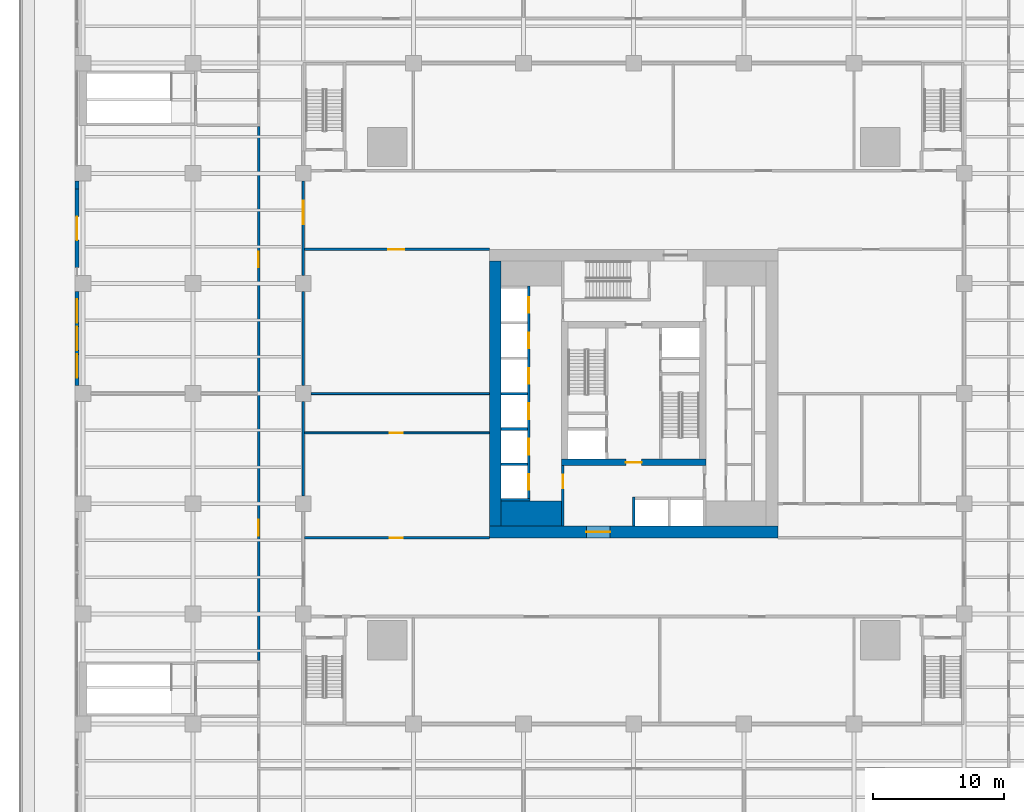
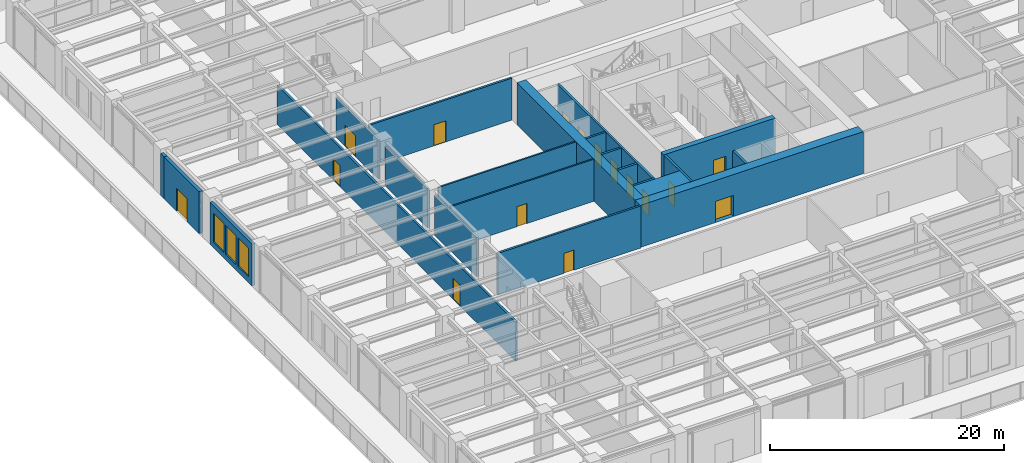
# One storey, part 38 of 53: 22 walls, 16 doors, 3 windows, 19 openings.
"""IFC4 building model written with IfcOpenShell, lengths in metres."""

from ifc_helpers import new_model, si_unit, direction, frame, frame_2d, origin, place, context, subcontext, project, spatial, rectangle, extrude, material, layer, layer_set, type_object, element, fill, save


model = new_model("IFC4")

# Units and contexts
model_context = context("Model", 3, precision=1e-05, world=origin(), true_north=direction((0.0, 1.0)))
body_context = subcontext(model_context, "Body", "Model", "MODEL_VIEW")
ifc_project = project(units=[si_unit("LENGTHUNIT", "METRE"), si_unit("AREAUNIT", "SQUARE_METRE"), si_unit("VOLUMEUNIT", "CUBIC_METRE"), si_unit("PLANEANGLEUNIT", "RADIAN"), si_unit("MASSUNIT", "GRAM", prefix="KILO")], contexts=[model_context])

# Site, building, storey
site_placement = place(None, origin())
site = spatial("IfcSite", under=ifc_project, at=site_placement, CompositionType="ELEMENT")
building_placement = place(site_placement, origin())
building = spatial("IfcBuilding", under=site, at=building_placement, Name="Khepri Terraces", CompositionType="ELEMENT")
storey_placement = place(building_placement, frame((0.0, 0.0, 7.199951171875)))
storey = spatial("IfcBuildingStorey", under=building, at=storey_placement, Name="L01", CompositionType="ELEMENT", Elevation=7.199951171875)

# Walls
ifc_material_1 = material(Name="Concrete C80/95", Category="concrete")
ifc_layer_1 = layer(ifc_material_1, 1.89990234375, Name="Concrete C80/95", Category="concrete")
ifc_layer_set_1 = layer_set([ifc_layer_1], Name="Concrete C80/95")
wall_type_1 = type_object("IfcWallType", Name="Core wall 1900 C80/95", PredefinedType="SHEAR", material=ifc_layer_set_1)
wall_1_placement = place(storey_placement, frame((-10.10009765625, -9.14990234375, 0.0), z_axis=(0.0, 0.0, 1.0), x_axis=(1.0, 0.0, 0.0)))
element("IfcWall", 1, at=wall_1_placement, inside=storey, type_object=wall_type_1, Name="Core wall PR01 L01", PredefinedType="SHEAR", context=body_context, shape_type="SweptSolid", body=[
    extrude(rectangle(XDim=4.60009765625, YDim=1.89990234375, at=frame_2d((2.300048828125, 0.0))), origin(), (0.0, 0.0, 1.0), 4.380126953125),
])
ifc_layer_2 = layer(ifc_material_1, 0.199951171875, Name="Concrete C80/95", Category="concrete")
ifc_layer_set_2 = layer_set([ifc_layer_2], Name="Concrete C80/95")
wall_type_2 = type_object("IfcWallType", Name="Core wall 200 C80/95", PredefinedType="SHEAR", material=ifc_layer_set_2)
for number, where, z_axis, x_axis, name in (
    (2, (0.0, -10.10009765625, 0.0), (0.0, 0.0, 1.0), (0.0, 1.0, 0.0), "Core wall SH01 L01"),
    (3, (-10.10009765625, -8.10009765625, 0.0), (0.0, 0.0, 1.0), (1.0, 0.0, 0.0), "Core wall SH04 L01"),
):
    element("IfcWall", number, at=place(storey_placement, frame(where, z_axis=z_axis, x_axis=x_axis)), inside=storey, type_object=wall_type_2, Name=name, PredefinedType="SHEAR", context=body_context, shape_type="SweptSolid", body=[
        extrude(rectangle(XDim=2.2001953125, YDim=0.199951171875, at=frame_2d((1.10009765625, 0.0))), origin(), (0.0, 0.0, 1.0), 4.380126953125),
    ])

# Wall, openings, doors
wall_2_placement = place(storey_placement, frame((-8.0, -8.0, 0.0), z_axis=(0.0, 0.0, 1.0), x_axis=(0.0, 1.0, 0.0)))
wall_2 = element("IfcWall", 4, at=wall_2_placement, inside=storey, type_object=wall_type_2, Name="Core wall SH08 L01", PredefinedType="SHEAR", context=body_context, shape_type="SweptSolid", body=[
    extrude(rectangle(XDim=16.199951171875, YDim=0.199951171875, at=frame_2d((8.10009765625, 0.0))), origin(), (0.0, 0.0, 1.0), 4.380126953125),
])
opening_1_placement = place(wall_2_placement, frame((0.64990234375, 0.0, 0.0)))
opening_1 = element("IfcOpeningElement", 5, at=opening_1_placement, cuts=wall_2, Name="Opening L01-C01", PredefinedType="OPENING", context=body_context, shape_type="SweptSolid", body=[
    extrude(rectangle(XDim=1.199951171875, YDim=2.10009765625, at=frame_2d((0.60009765625, 1.050048828125))), frame((0.0, 0.10986328125, 0.0), z_axis=(0.0, -1.0, 0.0), x_axis=(1.0, 0.0, 0.0)), (0.0, 0.0, 1.0), 0.219970703125),
])
opening_2_placement = place(wall_2_placement, frame((3.35009765625, 0.0, 0.0)))
opening_2 = element("IfcOpeningElement", 6, at=opening_2_placement, cuts=wall_2, Name="Opening L01-C02", PredefinedType="OPENING", context=body_context, shape_type="SweptSolid", body=[
    extrude(rectangle(XDim=1.199951171875, YDim=2.10009765625, at=frame_2d((0.60009765625, 1.050048828125))), frame((0.0, 0.10986328125, 0.0), z_axis=(0.0, -1.0, 0.0), x_axis=(1.0, 0.0, 0.0)), (0.0, 0.0, 1.0), 0.219970703125),
])
opening_3_placement = place(wall_2_placement, frame((6.050048828125, 0.0, 0.0)))
opening_3 = element("IfcOpeningElement", 7, at=opening_3_placement, cuts=wall_2, Name="Opening L01-C03", PredefinedType="OPENING", context=body_context, shape_type="SweptSolid", body=[
    extrude(rectangle(XDim=1.199951171875, YDim=2.10009765625, at=frame_2d((0.60009765625, 1.050048828125))), frame((0.0, 0.10986328125, 0.0), z_axis=(0.0, -1.0, 0.0), x_axis=(1.0, 0.0, 0.0)), (0.0, 0.0, 1.0), 0.219970703125),
])
opening_4_placement = place(wall_2_placement, frame((8.75, 0.0, 0.0)))
opening_4 = element("IfcOpeningElement", 8, at=opening_4_placement, cuts=wall_2, Name="Opening L01-C04", PredefinedType="OPENING", context=body_context, shape_type="SweptSolid", body=[
    extrude(rectangle(XDim=1.199951171875, YDim=2.10009765625, at=frame_2d((0.60009765625, 1.050048828125))), frame((0.0, 0.10986328125, 0.0), z_axis=(0.0, -1.0, 0.0), x_axis=(1.0, 0.0, 0.0)), (0.0, 0.0, 1.0), 0.219970703125),
])
opening_5_placement = place(wall_2_placement, frame((11.449951171875, 0.0, 0.0)))
opening_5 = element("IfcOpeningElement", 9, at=opening_5_placement, cuts=wall_2, Name="Opening L01-C05", PredefinedType="OPENING", context=body_context, shape_type="SweptSolid", body=[
    extrude(rectangle(XDim=1.199951171875, YDim=2.10009765625, at=frame_2d((0.60009765625, 1.050048828125))), frame((0.0, 0.10986328125, 0.0), z_axis=(0.0, -1.0, 0.0), x_axis=(1.0, 0.0, 0.0)), (0.0, 0.0, 1.0), 0.219970703125),
])
opening_6_placement = place(wall_2_placement, frame((14.14990234375, 0.0, 0.0)))
opening_6 = element("IfcOpeningElement", 10, at=opening_6_placement, cuts=wall_2, Name="Opening L01-C06", PredefinedType="OPENING", context=body_context, shape_type="SweptSolid", body=[
    extrude(rectangle(XDim=1.199951171875, YDim=2.10009765625, at=frame_2d((0.60009765625, 1.050048828125))), frame((0.0, 0.10986328125, 0.0), z_axis=(0.0, -1.0, 0.0), x_axis=(1.0, 0.0, 0.0)), (0.0, 0.0, 1.0), 0.219970703125),
])
ifc_material_2 = material(Name="Stainless steel 304", Category="steel")
door_type_1 = type_object("IfcDoorType", Name="DR-CORE-LANDING-1200", OperationType="NOTDEFINED", PredefinedType="DOOR", material=ifc_material_2)
door_1_placement = place(opening_1_placement, origin())
door_1 = element("IfcDoor", 11, at=door_1_placement, inside=storey, type_object=door_type_1, Name="Lift landing door L01-C01", OperationType="SLIDING_TO_LEFT", OverallHeight=2.10009765625, OverallWidth=1.199951171875, PredefinedType="DOOR", context=body_context, shape_type="SweptSolid", body=[
    extrude(rectangle(XDim=1.199951171875, YDim=2.10009765625, at=frame_2d((0.60009765625, 1.050048828125))), frame((0.0, 0.02490234375, 0.0), z_axis=(0.0, -1.0, 0.0), x_axis=(1.0, 0.0, 0.0)), (0.0, 0.0, 1.0), 0.050048828125),
])
fill(opening_1, door_1)
door_2_placement = place(opening_2_placement, origin())
door_2 = element("IfcDoor", 12, at=door_2_placement, inside=storey, type_object=door_type_1, Name="Lift landing door L01-C02", OperationType="SLIDING_TO_LEFT", OverallHeight=2.10009765625, OverallWidth=1.199951171875, PredefinedType="DOOR", context=body_context, shape_type="SweptSolid", body=[
    extrude(rectangle(XDim=1.199951171875, YDim=2.10009765625, at=frame_2d((0.60009765625, 1.050048828125))), frame((0.0, 0.02490234375, 0.0), z_axis=(0.0, -1.0, 0.0), x_axis=(1.0, 0.0, 0.0)), (0.0, 0.0, 1.0), 0.050048828125),
])
fill(opening_2, door_2)
door_3_placement = place(opening_3_placement, origin())
door_3 = element("IfcDoor", 13, at=door_3_placement, inside=storey, type_object=door_type_1, Name="Lift landing door L01-C03", OperationType="SLIDING_TO_LEFT", OverallHeight=2.10009765625, OverallWidth=1.199951171875, PredefinedType="DOOR", context=body_context, shape_type="SweptSolid", body=[
    extrude(rectangle(XDim=1.199951171875, YDim=2.10009765625, at=frame_2d((0.60009765625, 1.050048828125))), frame((0.0, 0.02490234375, 0.0), z_axis=(0.0, -1.0, 0.0), x_axis=(1.0, 0.0, 0.0)), (0.0, 0.0, 1.0), 0.050048828125),
])
fill(opening_3, door_3)
door_4_placement = place(opening_4_placement, origin())
door_4 = element("IfcDoor", 14, at=door_4_placement, inside=storey, type_object=door_type_1, Name="Lift landing door L01-C04", OperationType="SLIDING_TO_LEFT", OverallHeight=2.10009765625, OverallWidth=1.199951171875, PredefinedType="DOOR", context=body_context, shape_type="SweptSolid", body=[
    extrude(rectangle(XDim=1.199951171875, YDim=2.10009765625, at=frame_2d((0.60009765625, 1.050048828125))), frame((0.0, 0.02490234375, 0.0), z_axis=(0.0, -1.0, 0.0), x_axis=(1.0, 0.0, 0.0)), (0.0, 0.0, 1.0), 0.050048828125),
])
fill(opening_4, door_4)
door_5_placement = place(opening_5_placement, origin())
door_5 = element("IfcDoor", 15, at=door_5_placement, inside=storey, type_object=door_type_1, Name="Lift landing door L01-C05", OperationType="SLIDING_TO_LEFT", OverallHeight=2.10009765625, OverallWidth=1.199951171875, PredefinedType="DOOR", context=body_context, shape_type="SweptSolid", body=[
    extrude(rectangle(XDim=1.199951171875, YDim=2.10009765625, at=frame_2d((0.60009765625, 1.050048828125))), frame((0.0, 0.02490234375, 0.0), z_axis=(0.0, -1.0, 0.0), x_axis=(1.0, 0.0, 0.0)), (0.0, 0.0, 1.0), 0.050048828125),
])
fill(opening_5, door_5)
door_6_placement = place(opening_6_placement, origin())
door_6 = element("IfcDoor", 16, at=door_6_placement, inside=storey, type_object=door_type_1, Name="Lift landing door L01-C06", OperationType="SLIDING_TO_LEFT", OverallHeight=2.10009765625, OverallWidth=1.199951171875, PredefinedType="DOOR", context=body_context, shape_type="SweptSolid", body=[
    extrude(rectangle(XDim=1.199951171875, YDim=2.10009765625, at=frame_2d((0.60009765625, 1.050048828125))), frame((0.0, 0.02490234375, 0.0), z_axis=(0.0, -1.0, 0.0), x_axis=(1.0, 0.0, 0.0)), (0.0, 0.0, 1.0), 0.050048828125),
])
fill(opening_6, door_6)

# Walls
for number, where, z_axis, x_axis, name in (
    (17, (-10.10009765625, -5.39990234375, 0.0), (0.0, 0.0, 1.0), (1.0, 0.0, 0.0), "Core wall SH09 L01"),
    (18, (-10.10009765625, -2.699951171875, 0.0), (0.0, 0.0, 1.0), (1.0, 0.0, 0.0), "Core wall SH12 L01"),
    (19, (-10.10009765625, 0.0, 0.0), (0.0, 0.0, 1.0), (1.0, 0.0, 0.0), "Core wall SH14 L01"),
):
    element("IfcWall", number, at=place(storey_placement, frame(where, z_axis=z_axis, x_axis=x_axis)), inside=storey, type_object=wall_type_2, Name=name, PredefinedType="SHEAR", context=body_context, shape_type="SweptSolid", body=[
        extrude(rectangle(XDim=2.0, YDim=0.199951171875, at=frame_2d((1.0, 0.0))), origin(), (0.0, 0.0, 1.0), 4.380126953125),
    ])

# Wall, opening, door
ifc_layer_3 = layer(ifc_material_1, 0.5, Name="Concrete C80/95", Category="concrete")
ifc_layer_set_3 = layer_set([ifc_layer_3], Name="Concrete C80/95")
wall_type_3 = type_object("IfcWallType", Name="Core wall 500 C80/95", PredefinedType="SHEAR", material=ifc_layer_set_3)
wall_3_placement = place(storey_placement, frame((-5.5, -5.25, 0.0), z_axis=(0.0, 0.0, 1.0), x_axis=(1.0, 0.0, 0.0)))
wall_3 = element("IfcWall", 20, at=wall_3_placement, inside=storey, type_object=wall_type_3, Name="Core wall BX01 L01", PredefinedType="SHEAR", context=body_context, shape_type="SweptSolid", body=[
    extrude(rectangle(XDim=11.0, YDim=0.5, at=frame_2d((5.5, 0.0))), origin(), (0.0, 0.0, 1.0), 4.380126953125),
])
opening_7_placement = place(wall_3_placement, frame((4.89990234375, 0.0, 0.0)))
opening_7 = element("IfcOpeningElement", 21, at=opening_7_placement, cuts=wall_3, Name="Opening L01-C14", PredefinedType="OPENING", context=body_context, shape_type="SweptSolid", body=[
    extrude(rectangle(XDim=1.199951171875, YDim=2.10009765625, at=frame_2d((0.60009765625, 1.050048828125))), frame((0.0, 0.260009765625, 0.0), z_axis=(0.0, -1.0, 0.0), x_axis=(1.0, 0.0, 0.0)), (0.0, 0.0, 1.0), 0.52001953125),
])
ifc_material_3 = material(Name="Painted steel", Category="steel")
door_type_2 = type_object("IfcDoorType", Name="DR-CORE-FF-LOBBY-1200", OperationType="NOTDEFINED", PredefinedType="DOOR", material=ifc_material_3)
door_7_placement = place(opening_7_placement, origin())
door_7 = element("IfcDoor", 22, at=door_7_placement, inside=storey, type_object=door_type_2, Name="Firefighting lobby door L01-C14", OperationType="SINGLE_SWING_RIGHT", OverallHeight=2.10009765625, OverallWidth=1.199951171875, PredefinedType="DOOR", context=body_context, shape_type="SweptSolid", body=[
    extrude(rectangle(XDim=1.199951171875, YDim=2.10009765625, at=frame_2d((0.60009765625, 1.050048828125))), frame((0.0, 0.02490234375, 0.0), z_axis=(0.0, -1.0, 0.0), x_axis=(1.0, 0.0, 0.0)), (0.0, 0.0, 1.0), 0.050048828125),
])
fill(opening_7, door_7)

ifc_layer_4 = layer(ifc_material_1, 0.89990234375, Name="Concrete C80/95", Category="concrete")
ifc_layer_set_4 = layer_set([ifc_layer_4], Name="Concrete C80/95")
wall_type_4 = type_object("IfcWallType", Name="Core wall 900 C80/95", PredefinedType="SHEAR", material=ifc_layer_set_4)
wall_4_placement = place(storey_placement, frame((-11.0, -10.550048828125, 0.0), z_axis=(0.0, 0.0, 1.0), x_axis=(1.0, 0.0, 0.0)))
wall_4 = element("IfcWall", 23, at=wall_4_placement, inside=storey, type_object=wall_type_4, Name="Core wall OW-S L01", PredefinedType="SHEAR", context=body_context, shape_type="SweptSolid", body=[
    extrude(rectangle(XDim=22.0, YDim=0.89990234375, at=frame_2d((11.0, 0.0))), origin(), (0.0, 0.0, 1.0), 4.380126953125),
])
opening_8_placement = place(wall_4_placement, frame((7.39990234375, 0.0, 0.0)))
opening_8 = element("IfcOpeningElement", 24, at=opening_8_placement, cuts=wall_4, Name="Opening L01-C21", PredefinedType="OPENING", context=body_context, shape_type="SweptSolid", body=[
    extrude(rectangle(XDim=1.800048828125, YDim=2.199951171875, at=frame_2d((0.89990234375, 1.10009765625))), frame((0.0, 0.4599609375, 0.0), z_axis=(0.0, -1.0, 0.0), x_axis=(1.0, 0.0, 0.0)), (0.0, 0.0, 1.0), 0.919921875),
])
door_type_3 = type_object("IfcDoorType", Name="DR-CORE-ENTRANCE-1800", OperationType="NOTDEFINED", PredefinedType="DOOR", material=ifc_material_3)
door_8_placement = place(opening_8_placement, frame((1.800048828125, 0.0, 0.0), z_axis=(0.0, 0.0, 1.0), x_axis=(-1.0, 0.0, 0.0)))
door_8 = element("IfcDoor", 25, at=door_8_placement, inside=storey, type_object=door_type_3, Name="Core entrance door pair L01-C21", OperationType="DOUBLE_DOOR_SINGLE_SWING", OverallHeight=2.199951171875, OverallWidth=1.800048828125, PredefinedType="DOOR", context=body_context, shape_type="SweptSolid", body=[
    extrude(rectangle(XDim=1.800048828125, YDim=2.199951171875, at=frame_2d((0.89990234375, 1.10009765625))), frame((0.0, 0.02490234375, 0.0), z_axis=(0.0, -1.0, 0.0), x_axis=(1.0, 0.0, 0.0)), (0.0, 0.0, 1.0), 0.050048828125),
])
fill(opening_8, door_8)

# Wall
wall_5_placement = place(storey_placement, frame((-10.550048828125, -10.10009765625, 0.0), z_axis=(0.0, 0.0, 1.0), x_axis=(0.0, 1.0, 0.0)))
element("IfcWall", 26, at=wall_5_placement, inside=storey, type_object=wall_type_4, Name="Core wall OW-W L01", PredefinedType="SHEAR", context=body_context, shape_type="SweptSolid", body=[
    extrude(rectangle(XDim=20.2001953125, YDim=0.89990234375, at=frame_2d((10.10009765625, 0.0))), origin(), (0.0, 0.0, 1.0), 4.380126953125),
])

# Wall, opening, door
ifc_material_4 = material(Name="Fire-rated gypsum board partition")
ifc_layer_5 = layer(ifc_material_4, 0.199951171875, Name="Fire-rated gypsum board partition")
ifc_layer_set_5 = layer_set([ifc_layer_5], Name="Fire-rated gypsum board partition")
wall_type_5 = type_object("IfcWallType", Name="WL-CORE-PART-200", PredefinedType="PARTITIONING", material=ifc_layer_set_5)
wall_6_placement = place(storey_placement, frame((-5.39990234375, -10.10009765625, 0.0), z_axis=(0.0, 0.0, 1.0), x_axis=(0.0, 1.0, 0.0)))
wall_6 = element("IfcWall", 27, at=wall_6_placement, inside=storey, type_object=wall_type_5, Name="Core partition PT01 L01", PredefinedType="PARTITIONING", context=body_context, shape_type="SweptSolid", body=[
    extrude(rectangle(XDim=4.60009765625, YDim=0.199951171875, at=frame_2d((2.300048828125, 0.0))), origin(), (0.0, 0.0, 1.0), 4.380126953125),
])
opening_9_placement = place(wall_6_placement, frame((2.89990234375, 0.0, 0.0)))
opening_9 = element("IfcOpeningElement", 28, at=opening_9_placement, cuts=wall_6, Name="Opening L01-C18", PredefinedType="OPENING", context=body_context, shape_type="SweptSolid", body=[
    extrude(rectangle(XDim=1.0, YDim=2.10009765625, at=frame_2d((0.5, 1.050048828125))), frame((0.0, 0.10986328125, 0.0), z_axis=(0.0, -1.0, 0.0), x_axis=(1.0, 0.0, 0.0)), (0.0, 0.0, 1.0), 0.219970703125),
])
door_type_4 = type_object("IfcDoorType", Name="DR-CORE-LOBBY-1000", OperationType="NOTDEFINED", PredefinedType="DOOR", material=ifc_material_3)
door_9_placement = place(opening_9_placement, frame((1.0, 0.0, 0.0), z_axis=(0.0, 0.0, 1.0), x_axis=(-1.0, 0.0, 0.0)))
door_9 = element("IfcDoor", 29, at=door_9_placement, inside=storey, type_object=door_type_4, Name="Lobby door L01-C18", OperationType="SINGLE_SWING_LEFT", OverallHeight=2.10009765625, OverallWidth=1.0, PredefinedType="DOOR", context=body_context, shape_type="SweptSolid", body=[
    extrude(rectangle(XDim=1.0, YDim=2.10009765625, at=frame_2d((0.5, 1.050048828125))), frame((0.0, 0.02490234375, 0.0), z_axis=(0.0, -1.0, 0.0), x_axis=(1.0, 0.0, 0.0)), (0.0, 0.0, 1.0), 0.050048828125),
])
fill(opening_9, door_9)

# Wall
ifc_material_5 = material(Name="Precast concrete C50/60 warm stone", Category="masonry")
ifc_layer_6 = layer(ifc_material_5, 0.300048828125, Name="Precast concrete C50/60 warm stone", Category="masonry")
ifc_layer_set_6 = layer_set([ifc_layer_6], Name="Precast concrete C50/60 warm stone")
wall_type_6 = type_object("IfcWallType", Name="WL-EXT-PRECAST-300", PredefinedType="STANDARD", material=ifc_layer_set_6)
wall_7_placement = place(storey_placement, frame((-42.449951171875, 16.199951171875, 0.0), z_axis=(0.0, 0.0, 1.0), x_axis=(0.0, -1.0, 0.0)))
element("IfcWall", 30, at=wall_7_placement, inside=storey, type_object=wall_type_6, Name="External wall L01 W", PredefinedType="STANDARD", context=body_context, shape_type="SweptSolid", body=[
    extrude(rectangle(XDim=0.599853515625, YDim=0.300048828125, at=frame_2d((0.2998046875, 0.0))), origin(), (0.0, 0.0, 1.0), 4.380126953125),
])

# Wall, opening, door
wall_8_placement = place(storey_placement, frame((-42.449951171875, 15.60009765625, 0.0), z_axis=(0.0, 0.0, 1.0), x_axis=(0.0, -1.0, 0.0)))
wall_8 = element("IfcWall", 31, at=wall_8_placement, inside=storey, type_object=wall_type_6, Name="External wall L01 W", PredefinedType="STANDARD", context=body_context, shape_type="SweptSolid", body=[
    extrude(rectangle(XDim=6.0, YDim=0.300048828125, at=frame_2d((3.0, 0.0))), origin(), (0.0, 0.0, 1.0), 4.380126953125),
])
opening_10_placement = place(wall_8_placement, frame((2.10009765625, 0.0, 0.0)))
opening_10 = element("IfcOpeningElement", 32, at=opening_10_placement, cuts=wall_8, Name="Opening ED-L01-11", PredefinedType="OPENING", context=body_context, shape_type="SweptSolid", body=[
    extrude(rectangle(XDim=1.800048828125, YDim=2.39990234375, at=frame_2d((0.89990234375, 1.199951171875))), frame((0.0, 0.16015625, 0.0), z_axis=(0.0, -1.0, 0.0), x_axis=(1.0, 0.0, 0.0)), (0.0, 0.0, 1.0), 0.320068359375),
])
ifc_material_6 = material(Name="Anodised aluminium bronze glazed door", Category="aluminium")
door_type_5 = type_object("IfcDoorType", Name="DR-BAL-SLIDE-1800x2400", OperationType="NOTDEFINED", PredefinedType="DOOR", material=ifc_material_6)
door_10_placement = place(opening_10_placement, origin())
door_10 = element("IfcDoor", 33, at=door_10_placement, inside=storey, type_object=door_type_5, Name="Balcony door L01 W", OperationType="SLIDING_TO_RIGHT", OverallHeight=2.39990234375, OverallWidth=1.800048828125, PredefinedType="DOOR", context=body_context, shape_type="SweptSolid", body=[
    extrude(rectangle(XDim=1.800048828125, YDim=2.39990234375, at=frame_2d((0.89990234375, 1.199951171875))), frame((0.0, 0.02490234375, 0.0), z_axis=(0.0, -1.0, 0.0), x_axis=(1.0, 0.0, 0.0)), (0.0, 0.0, 1.0), 0.050048828125),
])
fill(opening_10, door_10)

# Wall, openings, windows
wall_9_placement = place(storey_placement, frame((-42.449951171875, 7.800048828125, 0.0), z_axis=(0.0, 0.0, 1.0), x_axis=(0.0, -1.0, 0.0)))
wall_9 = element("IfcWall", 34, at=wall_9_placement, inside=storey, type_object=wall_type_6, Name="External wall L01 W", PredefinedType="STANDARD", context=body_context, shape_type="SweptSolid", body=[
    extrude(rectangle(XDim=7.199951171875, YDim=0.300048828125, at=frame_2d((3.60009765625, 0.0))), origin(), (0.0, 0.0, 1.0), 4.380126953125),
])
opening_11_placement = place(wall_9_placement, frame((0.60009765625, 0.0, 0.60009765625)))
opening_11 = element("IfcOpeningElement", 35, at=opening_11_placement, cuts=wall_9, Name="Opening WP1", PredefinedType="OPENING", context=body_context, shape_type="SweptSolid", body=[
    extrude(rectangle(XDim=1.800048828125, YDim=3.0, at=frame_2d((0.89990234375, 1.5))), frame((0.0, 0.16015625, 0.0), z_axis=(0.0, -1.0, 0.0), x_axis=(1.0, 0.0, 0.0)), (0.0, 0.0, 1.0), 0.320068359375),
])
opening_12_placement = place(wall_9_placement, frame((2.699951171875, 0.0, 0.60009765625)))
opening_12 = element("IfcOpeningElement", 36, at=opening_12_placement, cuts=wall_9, Name="Opening WP1", PredefinedType="OPENING", context=body_context, shape_type="SweptSolid", body=[
    extrude(rectangle(XDim=1.800048828125, YDim=3.0, at=frame_2d((0.89990234375, 1.5))), frame((0.0, 0.16015625, 0.0), z_axis=(0.0, -1.0, 0.0), x_axis=(1.0, 0.0, 0.0)), (0.0, 0.0, 1.0), 0.320068359375),
])
opening_13_placement = place(wall_9_placement, frame((4.800048828125, 0.0, 0.60009765625)))
opening_13 = element("IfcOpeningElement", 37, at=opening_13_placement, cuts=wall_9, Name="Opening WP1", PredefinedType="OPENING", context=body_context, shape_type="SweptSolid", body=[
    extrude(rectangle(XDim=1.800048828125, YDim=3.0, at=frame_2d((0.89990234375, 1.5))), frame((0.0, 0.16015625, 0.0), z_axis=(0.0, -1.0, 0.0), x_axis=(1.0, 0.0, 0.0)), (0.0, 0.0, 1.0), 0.320068359375),
])
ifc_material_7 = material(Name="Clear glass", Category="glass")
window_type = type_object("IfcWindowType", Name="WIN-POD-1800x3000", PartitioningType="SINGLE_PANEL", PredefinedType="WINDOW", material=ifc_material_7)
window_1_placement = place(opening_11_placement, origin())
window_1 = element("IfcWindow", 38, at=window_1_placement, inside=storey, type_object=window_type, Name="Window L01 W", OverallHeight=3.0, OverallWidth=1.800048828125, PartitioningType="SINGLE_PANEL", PredefinedType="WINDOW", context=body_context, shape_type="SweptSolid", body=[
    extrude(rectangle(XDim=1.800048828125, YDim=3.0, at=frame_2d((0.89990234375, 1.5))), frame((0.0, 0.030029296875, 0.0), z_axis=(0.0, -1.0, 0.0), x_axis=(1.0, 0.0, 0.0)), (0.0, 0.0, 1.0), 0.06005859375),
])
fill(opening_11, window_1)
window_2_placement = place(opening_12_placement, origin())
window_2 = element("IfcWindow", 39, at=window_2_placement, inside=storey, type_object=window_type, Name="Window L01 W", OverallHeight=3.0, OverallWidth=1.800048828125, PartitioningType="SINGLE_PANEL", PredefinedType="WINDOW", context=body_context, shape_type="SweptSolid", body=[
    extrude(rectangle(XDim=1.800048828125, YDim=3.0, at=frame_2d((0.89990234375, 1.5))), frame((0.0, 0.030029296875, 0.0), z_axis=(0.0, -1.0, 0.0), x_axis=(1.0, 0.0, 0.0)), (0.0, 0.0, 1.0), 0.06005859375),
])
fill(opening_12, window_2)
window_3_placement = place(opening_13_placement, origin())
window_3 = element("IfcWindow", 40, at=window_3_placement, inside=storey, type_object=window_type, Name="Window L01 W", OverallHeight=3.0, OverallWidth=1.800048828125, PartitioningType="SINGLE_PANEL", PredefinedType="WINDOW", context=body_context, shape_type="SweptSolid", body=[
    extrude(rectangle(XDim=1.800048828125, YDim=3.0, at=frame_2d((0.89990234375, 1.5))), frame((0.0, 0.030029296875, 0.0), z_axis=(0.0, -1.0, 0.0), x_axis=(1.0, 0.0, 0.0)), (0.0, 0.0, 1.0), 0.06005859375),
])
fill(opening_13, window_3)

# Wall, opening, door
ifc_material_8 = material(Name="Gypsum board partition")
ifc_layer_7 = layer(ifc_material_8, 0.14990234375, Name="Gypsum board partition")
ifc_layer_set_7 = layer_set([ifc_layer_7], Name="Gypsum board partition")
wall_type_7 = type_object("IfcWallType", Name="WL-POD-150", PredefinedType="PARTITIONING", material=ifc_layer_set_7)
wall_10_placement = place(storey_placement, frame((-25.10009765625, -3.0, 0.0), z_axis=(0.0, 0.0, 1.0), x_axis=(1.0, 0.0, 0.0)))
wall_10 = element("IfcWall", 41, at=wall_10_placement, inside=storey, type_object=wall_type_7, Name="Partition L01-PW018", PredefinedType="PARTITIONING", context=body_context, shape_type="SweptSolid", body=[
    extrude(rectangle(XDim=14.10009765625, YDim=0.14990234375, at=frame_2d((7.050048828125, 0.0))), origin(), (0.0, 0.0, 1.0), 4.380126953125),
])
opening_14_placement = place(wall_10_placement, frame((6.5, 0.0, 0.0)))
opening_14 = element("IfcOpeningElement", 42, at=opening_14_placement, cuts=wall_10, Name="Opening L01-P24", PredefinedType="OPENING", context=body_context, shape_type="SweptSolid", body=[
    extrude(rectangle(XDim=1.0, YDim=2.10009765625, at=frame_2d((0.5, 1.050048828125))), frame((0.0, 0.0849609375, 0.0), z_axis=(0.0, -1.0, 0.0), x_axis=(1.0, 0.0, 0.0)), (0.0, 0.0, 1.0), 0.169921875),
])
ifc_material_9 = material(Name="Timber veneer", Category="wood")
door_type_6 = type_object("IfcDoorType", Name="DR-POD-SINGLE-1000", OperationType="NOTDEFINED", PredefinedType="DOOR", material=ifc_material_9)
door_11_placement = place(opening_14_placement, origin())
door_11 = element("IfcDoor", 43, at=door_11_placement, inside=storey, type_object=door_type_6, Name="Door L01-P24", OperationType="SINGLE_SWING_RIGHT", OverallHeight=2.10009765625, OverallWidth=1.0, PredefinedType="DOOR", context=body_context, shape_type="SweptSolid", body=[
    extrude(rectangle(XDim=1.0, YDim=2.10009765625, at=frame_2d((0.5, 1.050048828125))), frame((0.0, 0.02490234375, 0.0), z_axis=(0.0, -1.0, 0.0), x_axis=(1.0, 0.0, 0.0)), (0.0, 0.0, 1.0), 0.050048828125),
])
fill(opening_14, door_11)

# Wall
wall_11_placement = place(storey_placement, frame((-24.60009765625, 0.0, 0.0), z_axis=(0.0, 0.0, 1.0), x_axis=(1.0, 0.0, 0.0)))
element("IfcWall", 44, at=wall_11_placement, inside=storey, type_object=wall_type_7, Name="Partition L01-PW021", PredefinedType="PARTITIONING", context=body_context, shape_type="SweptSolid", body=[
    extrude(rectangle(XDim=13.60009765625, YDim=0.14990234375, at=frame_2d((6.800048828125, 0.0))), origin(), (0.0, 0.0, 1.0), 4.380126953125),
])

# Wall, opening, door
ifc_material_10 = material(Name="Fire-rated block wall")
ifc_layer_8 = layer(ifc_material_10, 0.199951171875, Name="Fire-rated block wall")
ifc_layer_set_8 = layer_set([ifc_layer_8], Name="Fire-rated block wall")
wall_type_8 = type_object("IfcWallType", Name="WL-POD-200-EI60", PredefinedType="PARTITIONING", material=ifc_layer_set_8)
wall_12_placement = place(storey_placement, frame((-25.10009765625, -11.0, 0.0), z_axis=(0.0, 0.0, 1.0), x_axis=(1.0, 0.0, 0.0)))
wall_12 = element("IfcWall", 45, at=wall_12_placement, inside=storey, type_object=wall_type_8, Name="Partition L01-PW013", PredefinedType="PARTITIONING", context=body_context, shape_type="SweptSolid", body=[
    extrude(rectangle(XDim=14.10009765625, YDim=0.199951171875, at=frame_2d((7.050048828125, 0.0))), origin(), (0.0, 0.0, 1.0), 4.380126953125),
])
opening_15_placement = place(wall_12_placement, frame((6.5, 0.0, 0.0)))
opening_15 = element("IfcOpeningElement", 46, at=opening_15_placement, cuts=wall_12, Name="Opening L01-P17", PredefinedType="OPENING", context=body_context, shape_type="SweptSolid", body=[
    extrude(rectangle(XDim=1.0, YDim=2.10009765625, at=frame_2d((0.5, 1.050048828125))), frame((0.0, 0.10986328125, 0.0), z_axis=(0.0, -1.0, 0.0), x_axis=(1.0, 0.0, 0.0)), (0.0, 0.0, 1.0), 0.219970703125),
])
door_12_placement = place(opening_15_placement, origin())
door_12 = element("IfcDoor", 47, at=door_12_placement, inside=storey, type_object=door_type_6, Name="Door L01-P17", OperationType="SINGLE_SWING_LEFT", OverallHeight=2.10009765625, OverallWidth=1.0, PredefinedType="DOOR", context=body_context, shape_type="SweptSolid", body=[
    extrude(rectangle(XDim=1.0, YDim=2.10009765625, at=frame_2d((0.5, 1.050048828125))), frame((0.0, 0.02490234375, 0.0), z_axis=(0.0, -1.0, 0.0), x_axis=(1.0, 0.0, 0.0)), (0.0, 0.0, 1.0), 0.050048828125),
])
fill(opening_15, door_12)

wall_13_placement = place(storey_placement, frame((-25.10009765625, 11.0, 0.0), z_axis=(0.0, 0.0, 1.0), x_axis=(1.0, 0.0, 0.0)))
wall_13 = element("IfcWall", 48, at=wall_13_placement, inside=storey, type_object=wall_type_8, Name="Partition L01-PW025", PredefinedType="PARTITIONING", context=body_context, shape_type="SweptSolid", body=[
    extrude(rectangle(XDim=14.10009765625, YDim=0.199951171875, at=frame_2d((7.050048828125, 0.0))), origin(), (0.0, 0.0, 1.0), 4.380126953125),
])
opening_16_placement = place(wall_13_placement, frame((6.39990234375, 0.0, 0.0)))
opening_16 = element("IfcOpeningElement", 49, at=opening_16_placement, cuts=wall_13, Name="Opening L01-P27", PredefinedType="OPENING", context=body_context, shape_type="SweptSolid", body=[
    extrude(rectangle(XDim=1.199951171875, YDim=2.199951171875, at=frame_2d((0.60009765625, 1.10009765625))), frame((0.0, 0.10986328125, 0.0), z_axis=(0.0, -1.0, 0.0), x_axis=(1.0, 0.0, 0.0)), (0.0, 0.0, 1.0), 0.219970703125),
])
door_type_7 = type_object("IfcDoorType", Name="DR-POD-SINGLE-1200", OperationType="NOTDEFINED", PredefinedType="DOOR", material=ifc_material_9)
door_13_placement = place(opening_16_placement, origin())
door_13 = element("IfcDoor", 50, at=door_13_placement, inside=storey, type_object=door_type_7, Name="Door L01-P27", OperationType="SINGLE_SWING_RIGHT", OverallHeight=2.199951171875, OverallWidth=1.199951171875, PredefinedType="DOOR", context=body_context, shape_type="SweptSolid", body=[
    extrude(rectangle(XDim=1.199951171875, YDim=2.199951171875, at=frame_2d((0.60009765625, 1.10009765625))), frame((0.0, 0.02490234375, 0.0), z_axis=(0.0, -1.0, 0.0), x_axis=(1.0, 0.0, 0.0)), (0.0, 0.0, 1.0), 0.050048828125),
])
fill(opening_16, door_13)

# Wall, openings, doors
wall_14_placement = place(storey_placement, frame((-28.60009765625, -20.35009765625, 0.0), z_axis=(0.0, 0.0, 1.0), x_axis=(0.0, 1.0, 0.0)))
wall_14 = element("IfcWall", 51, at=wall_14_placement, inside=storey, type_object=wall_type_8, Name="Partition L01-PW042", PredefinedType="PARTITIONING", context=body_context, shape_type="SweptSolid", body=[
    extrude(rectangle(XDim=40.7001953125, YDim=0.199951171875, at=frame_2d((20.35009765625, 0.0))), origin(), (0.0, 0.0, 1.0), 4.080078125),
])
opening_17_placement = place(wall_14_placement, frame((9.52490234375, 0.0, 0.0)))
opening_17 = element("IfcOpeningElement", 52, at=opening_17_placement, cuts=wall_14, Name="Opening L01-P19", PredefinedType="OPENING", context=body_context, shape_type="SweptSolid", body=[
    extrude(rectangle(XDim=1.199951171875, YDim=2.199951171875, at=frame_2d((0.60009765625, 1.10009765625))), frame((0.0, 0.10986328125, 0.0), z_axis=(0.0, -1.0, 0.0), x_axis=(1.0, 0.0, 0.0)), (0.0, 0.0, 1.0), 0.219970703125),
])
opening_18_placement = place(wall_14_placement, frame((29.97509765625, 0.0, 0.0)))
opening_18 = element("IfcOpeningElement", 53, at=opening_18_placement, cuts=wall_14, Name="Opening L01-P26", PredefinedType="OPENING", context=body_context, shape_type="SweptSolid", body=[
    extrude(rectangle(XDim=1.199951171875, YDim=2.199951171875, at=frame_2d((0.60009765625, 1.10009765625))), frame((0.0, 0.10986328125, 0.0), z_axis=(0.0, -1.0, 0.0), x_axis=(1.0, 0.0, 0.0)), (0.0, 0.0, 1.0), 0.219970703125),
])
door_14_placement = place(opening_17_placement, origin())
door_14 = element("IfcDoor", 54, at=door_14_placement, inside=storey, type_object=door_type_7, Name="Door L01-P19", OperationType="SINGLE_SWING_LEFT", OverallHeight=2.199951171875, OverallWidth=1.199951171875, PredefinedType="DOOR", context=body_context, shape_type="SweptSolid", body=[
    extrude(rectangle(XDim=1.199951171875, YDim=2.199951171875, at=frame_2d((0.60009765625, 1.10009765625))), frame((0.0, 0.02490234375, 0.0), z_axis=(0.0, -1.0, 0.0), x_axis=(1.0, 0.0, 0.0)), (0.0, 0.0, 1.0), 0.050048828125),
])
fill(opening_17, door_14)
door_15_placement = place(opening_18_placement, origin())
door_15 = element("IfcDoor", 55, at=door_15_placement, inside=storey, type_object=door_type_7, Name="Door L01-P26", OperationType="SINGLE_SWING_RIGHT", OverallHeight=2.199951171875, OverallWidth=1.199951171875, PredefinedType="DOOR", context=body_context, shape_type="SweptSolid", body=[
    extrude(rectangle(XDim=1.199951171875, YDim=2.199951171875, at=frame_2d((0.60009765625, 1.10009765625))), frame((0.0, 0.02490234375, 0.0), z_axis=(0.0, -1.0, 0.0), x_axis=(1.0, 0.0, 0.0)), (0.0, 0.0, 1.0), 0.050048828125),
])
fill(opening_18, door_15)

# Walls
for number, where, z_axis, x_axis, name in (
    (56, (-25.199951171875, -7.800048828125, 0.0), (0.0, 0.0, 1.0), (0.0, 1.0, 0.0), "Partition L01-PW048"),
    (57, (-25.199951171875, 0.60009765625, 0.0), (0.0, 0.0, 1.0), (0.0, 1.0, 0.0), "Partition L01-PW049"),
):
    element("IfcWall", number, at=place(storey_placement, frame(where, z_axis=z_axis, x_axis=x_axis)), inside=storey, type_object=wall_type_8, Name=name, PredefinedType="PARTITIONING", context=body_context, shape_type="SweptSolid", body=[
        extrude(rectangle(XDim=7.199951171875, YDim=0.199951171875, at=frame_2d((3.60009765625, 0.0))), origin(), (0.0, 0.0, 1.0), 4.080078125),
    ])

# Wall, opening, door
wall_15_placement = place(storey_placement, frame((-25.199951171875, 9.0, 0.0), z_axis=(0.0, 0.0, 1.0), x_axis=(0.0, 1.0, 0.0)))
wall_15 = element("IfcWall", 58, at=wall_15_placement, inside=storey, type_object=wall_type_8, Name="Partition L01-PW050", PredefinedType="PARTITIONING", context=body_context, shape_type="SweptSolid", body=[
    extrude(rectangle(XDim=7.199951171875, YDim=0.199951171875, at=frame_2d((3.60009765625, 0.0))), origin(), (0.0, 0.0, 1.0), 4.080078125),
])
opening_19_placement = place(wall_15_placement, frame((3.89990234375, 0.0, 0.0)))
opening_19 = element("IfcOpeningElement", 59, at=opening_19_placement, cuts=wall_15, Name="Opening L01-P29", PredefinedType="OPENING", context=body_context, shape_type="SweptSolid", body=[
    extrude(rectangle(XDim=1.800048828125, YDim=2.199951171875, at=frame_2d((0.89990234375, 1.10009765625))), frame((0.0, 0.10986328125, 0.0), z_axis=(0.0, -1.0, 0.0), x_axis=(1.0, 0.0, 0.0)), (0.0, 0.0, 1.0), 0.219970703125),
])
door_type_8 = type_object("IfcDoorType", Name="DR-POD-FIRE-PAIR-1800", OperationType="DOUBLE_DOOR_SINGLE_SWING", PredefinedType="DOOR", material=ifc_material_3)
door_16_placement = place(opening_19_placement, origin())
door_16 = element("IfcDoor", 60, at=door_16_placement, inside=storey, type_object=door_type_8, Name="Fire door pair L01-P29", OperationType="DOUBLE_DOOR_SINGLE_SWING", OverallHeight=2.199951171875, OverallWidth=1.800048828125, PredefinedType="DOOR", context=body_context, shape_type="SweptSolid", body=[
    extrude(rectangle(XDim=1.800048828125, YDim=2.199951171875, at=frame_2d((0.89990234375, 1.10009765625))), frame((0.0, 0.02490234375, 0.0), z_axis=(0.0, -1.0, 0.0), x_axis=(1.0, 0.0, 0.0)), (0.0, 0.0, 1.0), 0.050048828125),
])
fill(opening_19, door_16)

save(model, "model.ifc")
